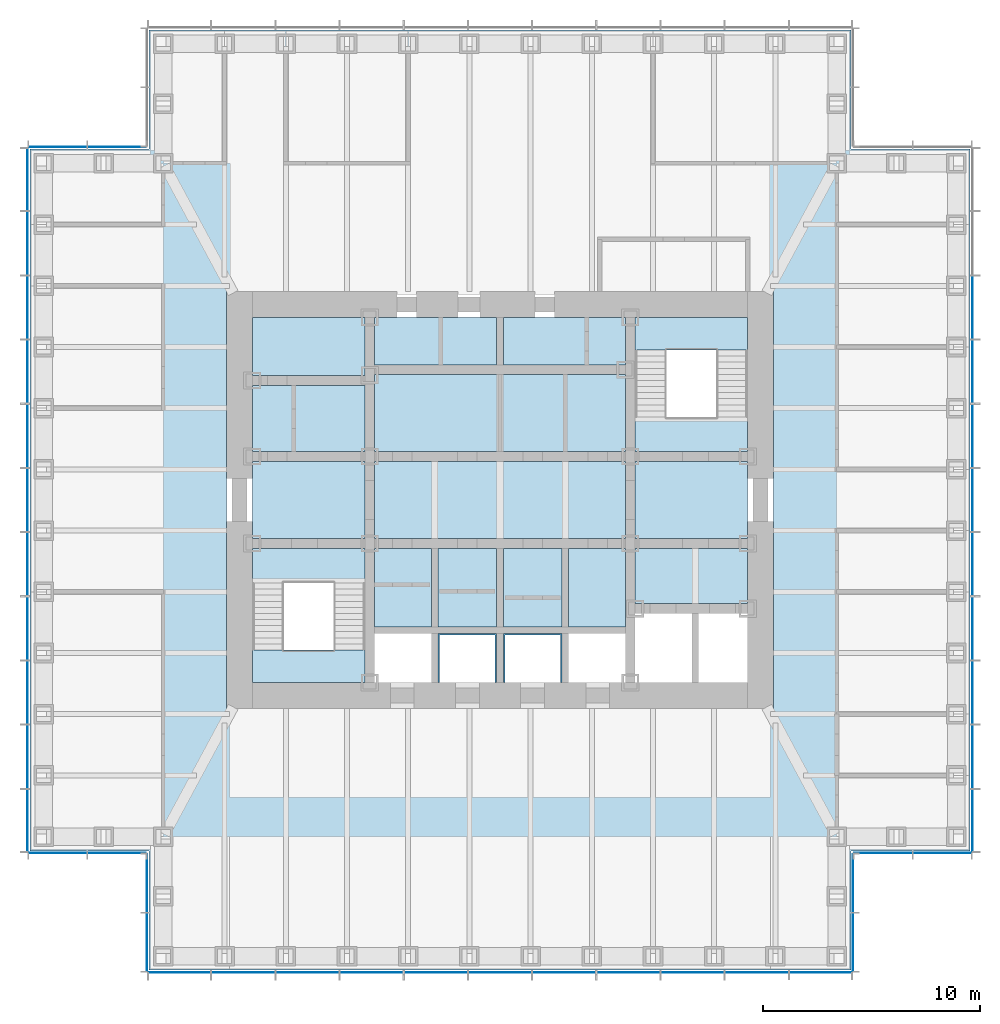
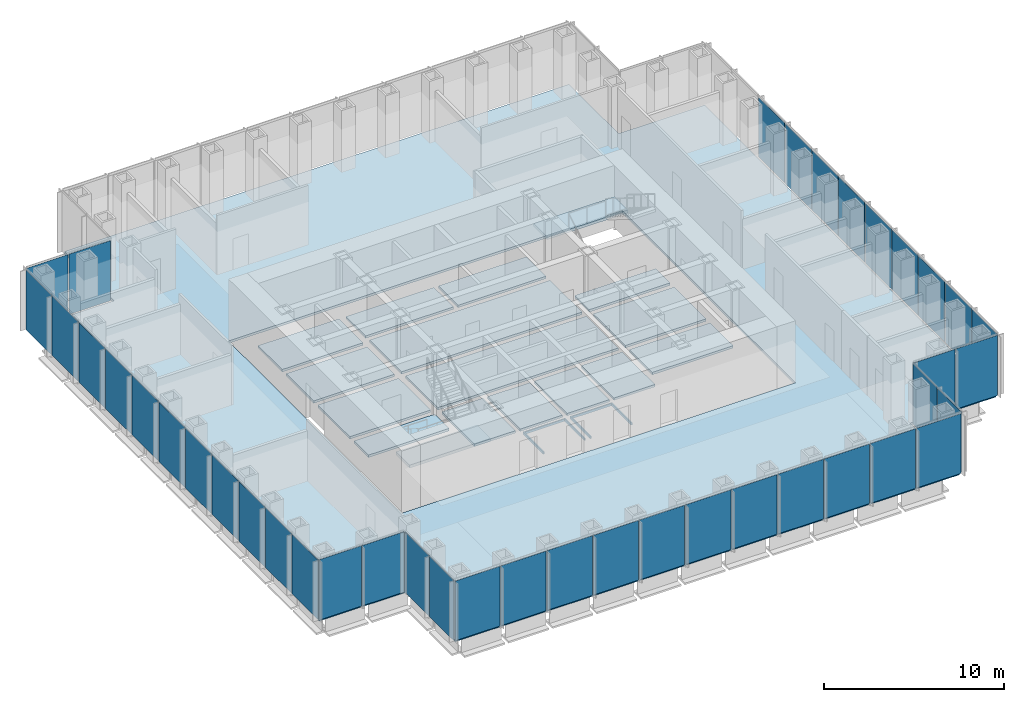
# One storey, part 7 of 16: 41 plates, 20 slabs, 10 elements without a shape of their own.
"""IFC4 building model written with IfcOpenShell, lengths in metres."""

import ifcopenshell
import ifcopenshell.guid

model = None  # the IFC model being written
_history = None  # IfcOwnerHistory: only IFC2X3 demands one
_inside = {}  # id of a spatial element -> (the spatial element, [elements in it])
_under = {}  # id of a project, library or spatial element -> (it, [spatial elements below it])
_declared = {}  # id of a project -> (the project, [libraries it declares])
_typed = {}  # id of a type object -> (the type object, [elements of that type])
_made_of = {}  # id of a material, layer set ... -> (it, [elements and type objects made of it])


def new_model(schema):
    """Start an empty IFC model of exactly this schema.

    Asked for "IFC4X3", IfcOpenShell would pick the latest addendum, in which some entities
    have other attributes; the version numbers below select the first issue.
    IFC2X3 requires an IfcOwnerHistory on every rooted entity: one is made here for all.
    """
    global model, _history
    if schema == "IFC4X3":
        model = ifcopenshell.file(schema_version=(4, 3, 0, 0))
    else:
        model = ifcopenshell.file(schema=schema)
    _inside.clear()
    _under.clear()
    _declared.clear()
    _typed.clear()
    _made_of.clear()
    _history = None
    if model.schema == "IFC2X3":
        org = make("IfcOrganization", Name="unknown")
        user = make(
            "IfcPersonAndOrganization",
            ThePerson=make("IfcPerson", FamilyName="unknown"),
            TheOrganization=org,
        )
        app = make(
            "IfcApplication",
            ApplicationDeveloper=org,
            Version="unknown",
            ApplicationFullName="unknown",
            ApplicationIdentifier="unknown",
        )
        _history = make(
            "IfcOwnerHistory",
            OwningUser=user,
            OwningApplication=app,
            ChangeAction="ADDED",
            CreationDate=0,
        )
    return model


def make(cls, **values):
    """One entity of the class cls with the attributes given. An attribute that is None is left unset."""
    return model.create_entity(
        cls, **{name: value for name, value in values.items() if value is not None}
    )


def rooted(cls, **values):
    """An entity with a GlobalId (a new one), such as an element, a storey or a relation."""
    return make(cls, GlobalId=ifcopenshell.guid.new(), OwnerHistory=_history, **values)


def si_unit(unit_type, name, prefix=None):
    """IfcSIUnit, for example si_unit("LENGTHUNIT", "METRE", prefix="MILLI")."""
    return make("IfcSIUnit", UnitType=unit_type, Prefix=prefix, Name=name)


def assignment(units):
    """IfcUnitAssignment: the units of a project."""
    return None if units is None else make("IfcUnitAssignment", Units=units)


def point(xyz):
    """IfcCartesianPoint."""
    return None if xyz is None else make("IfcCartesianPoint", Coordinates=xyz)


def direction(xyz):
    """IfcDirection."""
    return None if xyz is None else make("IfcDirection", DirectionRatios=xyz)


def frame(location, z_axis=None, x_axis=None):
    """IfcAxis2Placement3D, a coordinate frame: its origin and axes. An axis left out is left unset."""
    return make(
        "IfcAxis2Placement3D",
        Location=point(location),
        Axis=direction(z_axis),
        RefDirection=direction(x_axis),
    )


def frame_2d(location, x_axis=None):
    """IfcAxis2Placement2D, a coordinate frame in the plane: its origin and x axis."""
    return make(
        "IfcAxis2Placement2D", Location=point(location), RefDirection=direction(x_axis)
    )


def origin():
    """The frame at (0, 0, 0) with its axes left unset."""
    return frame((0.0, 0.0, 0.0))


def origin_2d():
    """The frame at (0, 0) in the plane with its x axis left unset."""
    return frame_2d((0.0, 0.0))


def place(relative_to, where):
    """IfcLocalPlacement: puts the frame where relative to a parent placement (None: the world)."""
    return make(
        "IfcLocalPlacement", PlacementRelTo=relative_to, RelativePlacement=where
    )


def context(
    kind, dimensions, precision=None, world=None, true_north=None, identifier=None
):
    """IfcGeometricRepresentationContext, for example the 3D "Model" context."""
    return make(
        "IfcGeometricRepresentationContext",
        ContextIdentifier=identifier,
        ContextType=kind,
        CoordinateSpaceDimension=dimensions,
        Precision=precision,
        WorldCoordinateSystem=world,
        TrueNorth=true_north,
    )


def subcontext(parent, identifier, kind, view, scale=None):
    """IfcGeometricRepresentationSubContext, for example "Body" below "Model"."""
    return make(
        "IfcGeometricRepresentationSubContext",
        ContextIdentifier=identifier,
        ContextType=kind,
        ParentContext=parent,
        TargetScale=scale,
        TargetView=view,
    )


def project(units=None, contexts=None):
    """IfcProject with its units and contexts."""
    return rooted(
        "IfcProject",
        Name="project",
        RepresentationContexts=contexts,
        UnitsInContext=assignment(units),
    )


def spatial(cls, under=None, at=None, **own):
    """A site, building, storey or space (cls), placed at a placement, below another one or the project."""
    s = rooted(cls, ObjectPlacement=at, **own)
    if under is not None:
        _under.setdefault(under.id(), (under, []))[1].append(s)
    return s


def polyline(points):
    """IfcPolyline through the points."""
    return make("IfcPolyline", Points=[point(p) for p in points])


def profile(cls, at=None, kind="AREA", **sizes):
    """A parametric profile (cls). Its sizes go by their IFC names, for example OverallWidth=200.0."""
    return make(cls, ProfileType=kind, Position=at, **sizes)


def rectangle(**sizes):
    """IfcRectangleProfileDef."""
    return profile("IfcRectangleProfileDef", **sizes)


def outline(outer, holes=None, kind="AREA"):
    """IfcArbitraryClosedProfileDef: a profile drawn as a closed curve; with holes, ...WithVoids."""
    if holes is None:
        return make("IfcArbitraryClosedProfileDef", ProfileType=kind, OuterCurve=outer)
    return make(
        "IfcArbitraryProfileDefWithVoids",
        ProfileType=kind,
        OuterCurve=outer,
        InnerCurves=holes,
    )


def extrude(swept, where, along, depth):
    """IfcExtrudedAreaSolid: the profile swept, set in the frame where, extruded along a direction by depth."""
    return make(
        "IfcExtrudedAreaSolid",
        SweptArea=swept,
        Position=where,
        ExtrudedDirection=direction(along),
        Depth=depth,
    )


def shape(context_of_items, identifier, shape_type, items):
    """IfcShapeRepresentation: the items that make up one representation, for example the "Body"."""
    return make(
        "IfcShapeRepresentation",
        ContextOfItems=context_of_items,
        RepresentationIdentifier=identifier,
        RepresentationType=shape_type,
        Items=items,
    )


def material(Name=None, Category=None):
    """IfcMaterial."""
    return make("IfcMaterial", Name=Name, Category=Category)


def layer(
    of_material, thickness, ventilated=None, Name=None, Category=None, Priority=None
):
    """IfcMaterialLayer: one layer of a wall or slab, of a material (None: an air gap)."""
    return make(
        "IfcMaterialLayer",
        Material=of_material,
        LayerThickness=thickness,
        IsVentilated=ventilated,
        Name=Name,
        Category=Category,
        Priority=Priority,
    )


def layer_set(layers, Name=None):
    """IfcMaterialLayerSet."""
    return make("IfcMaterialLayerSet", MaterialLayers=layers, LayerSetName=Name)


def made_of(thing, what):
    """Note that an element or type object is made of a material, layer set ...; save() writes the relation."""
    if what is not None:
        _made_of.setdefault(what.id(), (what, []))[1].append(thing)
    return thing


def type_object(cls, material=None, **own):
    """A type object (cls), such as IfcWallType, which elements share."""
    return made_of(rooted(cls, **own), material)


def element(
    cls,
    number,
    at=None,
    inside=None,
    cuts=None,
    type_object=None,
    material=None,
    context=None,
    identifier="Body",
    shape_type=None,
    held_by="IfcProductDefinitionShape",
    body=None,
    shapes=None,
    **own,
):
    """One element of the class cls, such as IfcWall. Its Tag is "e" and its number.

    at: its placement. inside: the storey or other place that contains it. cuts: it is an
    opening in that element (IfcRelVoidsElement). A single representation is given by context,
    identifier, shape_type and body (its items); several are given by shapes. held_by: the class
    of the entity that holds the representations. save() writes the other relations.
    """
    e = rooted(cls, Tag="e%d" % number, ObjectPlacement=at, **own)
    if body is not None:
        shapes = [shape(context, identifier, shape_type, body)]
    if shapes is not None:
        e.Representation = make(held_by, Representations=shapes)
    if inside is not None:
        _inside.setdefault(inside.id(), (inside, []))[1].append(e)
    if cuts is not None:
        rooted(
            "IfcRelVoidsElement", RelatingBuildingElement=cuts, RelatedOpeningElement=e
        )
    if type_object is not None:
        _typed.setdefault(type_object.id(), (type_object, []))[1].append(e)
    return made_of(e, material)


def aggregate(whole, parts):
    """IfcRelAggregates: a whole, such as a stair, and the parts it consists of."""
    return rooted("IfcRelAggregates", RelatingObject=whole, RelatedObjects=parts)


def save(model, path):
    """Write the relations noted so far, then the file.

    IfcRelAggregates (storeys below a building ...), IfcRelContainedInSpatialStructure (elements
    in a storey), IfcRelDefinesByType, IfcRelAssociatesMaterial and IfcRelDeclares: one each for
    every whole, place, type object, material and project.
    """
    for whole, parts in _under.values():
        aggregate(whole, parts)
    for where, things in _inside.values():
        rooted(
            "IfcRelContainedInSpatialStructure",
            RelatedElements=things,
            RelatingStructure=where,
        )
    for kind, things in _typed.values():
        rooted("IfcRelDefinesByType", RelatedObjects=things, RelatingType=kind)
    for what, things in _made_of.values():
        rooted("IfcRelAssociatesMaterial", RelatedObjects=things, RelatingMaterial=what)
    for by, libraries in _declared.values():
        rooted("IfcRelDeclares", RelatingContext=by, RelatedDefinitions=libraries)
    model.write(path)


model = new_model("IFC4")

# Units and contexts
model_context = context("Model", 3, precision=1e-05, world=origin(), true_north=direction((0.0, 1.0)))
body_context = subcontext(model_context, "Body", "Model", "MODEL_VIEW")
ifc_project = project(units=[si_unit("LENGTHUNIT", "METRE"), si_unit("AREAUNIT", "SQUARE_METRE"), si_unit("VOLUMEUNIT", "CUBIC_METRE"), si_unit("PLANEANGLEUNIT", "RADIAN"), si_unit("MASSUNIT", "GRAM", prefix="KILO")], contexts=[model_context])

# Site, building, storey
site_placement = place(None, origin())
site = spatial("IfcSite", under=ifc_project, at=site_placement, CompositionType="ELEMENT")
building_placement = place(site_placement, origin())
building = spatial("IfcBuilding", under=site, at=building_placement, Name="Daluyong Arena Tower", CompositionType="ELEMENT")
storey_placement = place(building_placement, frame((0.0, 0.0, 206.5)))
storey = spatial("IfcBuildingStorey", under=building, at=storey_placement, Name="L46", CompositionType="ELEMENT", Elevation=206.5)

# Curtain wall, plates
ifc_material_1 = material(Name="Bronze anodised aluminium and glass", Category="aluminium")
curtain_wall_type_1 = type_object("IfcCurtainWallType", Name="Curtain wall CW3", PredefinedType="USERDEFINED", material=ifc_material_1)
curtain_wall_1_placement = place(storey_placement, origin())
curtain_wall_1 = element("IfcCurtainWall", 1, at=curtain_wall_1_placement, inside=storey, type_object=curtain_wall_type_1, Name="curtain wall L46 S", ObjectType="UNITISED CURTAIN WALL", PredefinedType="USERDEFINED")
ifc_material_2 = material(Name="Tinted double glazed unit", Category="glass")
ifc_layer_1 = layer(ifc_material_2, 0.030029296875)
ifc_layer_set_1 = layer_set([ifc_layer_1], Name="Tinted double glazed unit")
plate_type_1 = type_object("IfcPlateType", Name="CW3 panel 30", PredefinedType="CURTAIN_PANEL", material=ifc_layer_set_1)
plate_1_placement = place(storey_placement, frame((41.244873046875, 58.25, 0.0), z_axis=(0.0, 0.0, 1.0), x_axis=(1.0, 0.0, 0.0)))
plate_1 = element("IfcPlate", 2, at=plate_1_placement, type_object=plate_type_1, Name="curtain wall L46 S panel 1", PredefinedType="CURTAIN_PANEL", context=body_context, shape_type="SweptSolid", body=[
    extrude(rectangle(XDim=2.849609375, YDim=0.030029296875, at=origin_2d()), origin(), (0.0, 0.0, 1.0), 4.0400390625),
])
plate_2_placement = place(storey_placement, frame((44.181884765625, 58.25, 0.0), z_axis=(0.0, 0.0, 1.0), x_axis=(1.0, 0.0, 0.0)))
plate_2 = element("IfcPlate", 3, at=plate_2_placement, type_object=plate_type_1, Name="curtain wall L46 S panel 2", PredefinedType="CURTAIN_PANEL", context=body_context, shape_type="SweptSolid", body=[
    extrude(rectangle(XDim=2.884521484375, YDim=0.030029296875, at=origin_2d()), origin(), (0.0, 0.0, 1.0), 4.0400390625),
])
plate_3_placement = place(storey_placement, frame((47.136474609375, 58.25, 0.0), z_axis=(0.0, 0.0, 1.0), x_axis=(1.0, 0.0, 0.0)))
plate_3 = element("IfcPlate", 4, at=plate_3_placement, type_object=plate_type_1, Name="curtain wall L46 S panel 3", PredefinedType="CURTAIN_PANEL", context=body_context, shape_type="SweptSolid", body=[
    extrude(rectangle(XDim=2.884521484375, YDim=0.030029296875, at=origin_2d()), origin(), (0.0, 0.0, 1.0), 4.0400390625),
])
plate_4_placement = place(storey_placement, frame((50.0908203125, 58.25, 0.0), z_axis=(0.0, 0.0, 1.0), x_axis=(1.0, 0.0, 0.0)))
plate_4 = element("IfcPlate", 5, at=plate_4_placement, type_object=plate_type_1, Name="curtain wall L46 S panel 4", PredefinedType="CURTAIN_PANEL", context=body_context, shape_type="SweptSolid", body=[
    extrude(rectangle(XDim=2.884521484375, YDim=0.030029296875, at=origin_2d()), origin(), (0.0, 0.0, 1.0), 4.0400390625),
])
plate_5_placement = place(storey_placement, frame((53.04541015625, 58.25, 0.0), z_axis=(0.0, 0.0, 1.0), x_axis=(1.0, 0.0, 0.0)))
plate_5 = element("IfcPlate", 6, at=plate_5_placement, type_object=plate_type_1, Name="curtain wall L46 S panel 5", PredefinedType="CURTAIN_PANEL", context=body_context, shape_type="SweptSolid", body=[
    extrude(rectangle(XDim=2.884521484375, YDim=0.030029296875, at=origin_2d()), origin(), (0.0, 0.0, 1.0), 4.0400390625),
])
plate_6_placement = place(storey_placement, frame((56.0, 58.25, 0.0), z_axis=(0.0, 0.0, 1.0), x_axis=(1.0, 0.0, 0.0)))
plate_6 = element("IfcPlate", 7, at=plate_6_placement, type_object=plate_type_1, Name="curtain wall L46 S panel 6", PredefinedType="CURTAIN_PANEL", context=body_context, shape_type="SweptSolid", body=[
    extrude(rectangle(XDim=2.884521484375, YDim=0.030029296875, at=origin_2d()), origin(), (0.0, 0.0, 1.0), 4.0400390625),
])
plate_7_placement = place(storey_placement, frame((58.95458984375, 58.25, 0.0), z_axis=(0.0, 0.0, 1.0), x_axis=(1.0, 0.0, 0.0)))
plate_7 = element("IfcPlate", 8, at=plate_7_placement, type_object=plate_type_1, Name="curtain wall L46 S panel 7", PredefinedType="CURTAIN_PANEL", context=body_context, shape_type="SweptSolid", body=[
    extrude(rectangle(XDim=2.884521484375, YDim=0.030029296875, at=origin_2d()), origin(), (0.0, 0.0, 1.0), 4.0400390625),
])
plate_8_placement = place(storey_placement, frame((61.9091796875, 58.25, 0.0), z_axis=(0.0, 0.0, 1.0), x_axis=(1.0, 0.0, 0.0)))
plate_8 = element("IfcPlate", 9, at=plate_8_placement, type_object=plate_type_1, Name="curtain wall L46 S panel 8", PredefinedType="CURTAIN_PANEL", context=body_context, shape_type="SweptSolid", body=[
    extrude(rectangle(XDim=2.884521484375, YDim=0.030029296875, at=origin_2d()), origin(), (0.0, 0.0, 1.0), 4.0400390625),
])
plate_9_placement = place(storey_placement, frame((64.863525390625, 58.25, 0.0), z_axis=(0.0, 0.0, 1.0), x_axis=(1.0, 0.0, 0.0)))
plate_9 = element("IfcPlate", 10, at=plate_9_placement, type_object=plate_type_1, Name="curtain wall L46 S panel 9", PredefinedType="CURTAIN_PANEL", context=body_context, shape_type="SweptSolid", body=[
    extrude(rectangle(XDim=2.884521484375, YDim=0.030029296875, at=origin_2d()), origin(), (0.0, 0.0, 1.0), 4.0400390625),
])
plate_10_placement = place(storey_placement, frame((67.818115234375, 58.25, 0.0), z_axis=(0.0, 0.0, 1.0), x_axis=(1.0, 0.0, 0.0)))
plate_10 = element("IfcPlate", 11, at=plate_10_placement, type_object=plate_type_1, Name="curtain wall L46 S panel 10", PredefinedType="CURTAIN_PANEL", context=body_context, shape_type="SweptSolid", body=[
    extrude(rectangle(XDim=2.884521484375, YDim=0.030029296875, at=origin_2d()), origin(), (0.0, 0.0, 1.0), 4.0400390625),
])
plate_11_placement = place(storey_placement, frame((70.755126953125, 58.25, 0.0), z_axis=(0.0, 0.0, 1.0), x_axis=(1.0, 0.0, 0.0)))
plate_11 = element("IfcPlate", 12, at=plate_11_placement, type_object=plate_type_1, Name="curtain wall L46 S panel 11", PredefinedType="CURTAIN_PANEL", context=body_context, shape_type="SweptSolid", body=[
    extrude(rectangle(XDim=2.849609375, YDim=0.030029296875, at=origin_2d()), origin(), (0.0, 0.0, 1.0), 4.0400390625),
])
aggregate(curtain_wall_1, [plate_1, plate_2, plate_3, plate_4, plate_5, plate_6, plate_7, plate_8, plate_9, plate_10, plate_11])

curtain_wall_2_placement = place(storey_placement, origin())
curtain_wall_2 = element("IfcCurtainWall", 13, at=curtain_wall_2_placement, inside=storey, type_object=curtain_wall_type_1, Name="curtain wall L46 E", ObjectType="UNITISED CURTAIN WALL", PredefinedType="USERDEFINED")
plate_12_placement = place(storey_placement, frame((77.75, 65.244873046875, 0.0), z_axis=(0.0, 0.0, 1.0), x_axis=(0.0, 1.0, 0.0)))
plate_12 = element("IfcPlate", 14, at=plate_12_placement, type_object=plate_type_1, Name="curtain wall L46 E panel 1", PredefinedType="CURTAIN_PANEL", context=body_context, shape_type="SweptSolid", body=[
    extrude(rectangle(XDim=2.849609375, YDim=0.030029296875, at=origin_2d()), origin(), (0.0, 0.0, 1.0), 4.0400390625),
])
plate_13_placement = place(storey_placement, frame((77.75, 68.181884765625, 0.0), z_axis=(0.0, 0.0, 1.0), x_axis=(0.0, 1.0, 0.0)))
plate_13 = element("IfcPlate", 15, at=plate_13_placement, type_object=plate_type_1, Name="curtain wall L46 E panel 2", PredefinedType="CURTAIN_PANEL", context=body_context, shape_type="SweptSolid", body=[
    extrude(rectangle(XDim=2.884521484375, YDim=0.030029296875, at=origin_2d()), origin(), (0.0, 0.0, 1.0), 4.0400390625),
])
plate_14_placement = place(storey_placement, frame((77.75, 71.136474609375, 0.0), z_axis=(0.0, 0.0, 1.0), x_axis=(0.0, 1.0, 0.0)))
plate_14 = element("IfcPlate", 16, at=plate_14_placement, type_object=plate_type_1, Name="curtain wall L46 E panel 3", PredefinedType="CURTAIN_PANEL", context=body_context, shape_type="SweptSolid", body=[
    extrude(rectangle(XDim=2.884521484375, YDim=0.030029296875, at=origin_2d()), origin(), (0.0, 0.0, 1.0), 4.0400390625),
])
plate_15_placement = place(storey_placement, frame((77.75, 74.0908203125, 0.0), z_axis=(0.0, 0.0, 1.0), x_axis=(0.0, 1.0, 0.0)))
plate_15 = element("IfcPlate", 17, at=plate_15_placement, type_object=plate_type_1, Name="curtain wall L46 E panel 4", PredefinedType="CURTAIN_PANEL", context=body_context, shape_type="SweptSolid", body=[
    extrude(rectangle(XDim=2.884521484375, YDim=0.030029296875, at=origin_2d()), origin(), (0.0, 0.0, 1.0), 4.0400390625),
])
plate_16_placement = place(storey_placement, frame((77.75, 77.04541015625, 0.0), z_axis=(0.0, 0.0, 1.0), x_axis=(0.0, 1.0, 0.0)))
plate_16 = element("IfcPlate", 18, at=plate_16_placement, type_object=plate_type_1, Name="curtain wall L46 E panel 5", PredefinedType="CURTAIN_PANEL", context=body_context, shape_type="SweptSolid", body=[
    extrude(rectangle(XDim=2.884521484375, YDim=0.030029296875, at=origin_2d()), origin(), (0.0, 0.0, 1.0), 4.0400390625),
])
plate_17_placement = place(storey_placement, frame((77.75, 80.0, 0.0), z_axis=(0.0, 0.0, 1.0), x_axis=(0.0, 1.0, 0.0)))
plate_17 = element("IfcPlate", 19, at=plate_17_placement, type_object=plate_type_1, Name="curtain wall L46 E panel 6", PredefinedType="CURTAIN_PANEL", context=body_context, shape_type="SweptSolid", body=[
    extrude(rectangle(XDim=2.884521484375, YDim=0.030029296875, at=origin_2d()), origin(), (0.0, 0.0, 1.0), 4.0400390625),
])
plate_18_placement = place(storey_placement, frame((77.75, 82.95458984375, 0.0), z_axis=(0.0, 0.0, 1.0), x_axis=(0.0, 1.0, 0.0)))
plate_18 = element("IfcPlate", 20, at=plate_18_placement, type_object=plate_type_1, Name="curtain wall L46 E panel 7", PredefinedType="CURTAIN_PANEL", context=body_context, shape_type="SweptSolid", body=[
    extrude(rectangle(XDim=2.884521484375, YDim=0.030029296875, at=origin_2d()), origin(), (0.0, 0.0, 1.0), 4.0400390625),
])
plate_19_placement = place(storey_placement, frame((77.75, 85.9091796875, 0.0), z_axis=(0.0, 0.0, 1.0), x_axis=(0.0, 1.0, 0.0)))
plate_19 = element("IfcPlate", 21, at=plate_19_placement, type_object=plate_type_1, Name="curtain wall L46 E panel 8", PredefinedType="CURTAIN_PANEL", context=body_context, shape_type="SweptSolid", body=[
    extrude(rectangle(XDim=2.884521484375, YDim=0.030029296875, at=origin_2d()), origin(), (0.0, 0.0, 1.0), 4.0400390625),
])
plate_20_placement = place(storey_placement, frame((77.75, 88.863525390625, 0.0), z_axis=(0.0, 0.0, 1.0), x_axis=(0.0, 1.0, 0.0)))
plate_20 = element("IfcPlate", 22, at=plate_20_placement, type_object=plate_type_1, Name="curtain wall L46 E panel 9", PredefinedType="CURTAIN_PANEL", context=body_context, shape_type="SweptSolid", body=[
    extrude(rectangle(XDim=2.884521484375, YDim=0.030029296875, at=origin_2d()), origin(), (0.0, 0.0, 1.0), 4.0400390625),
])
aggregate(curtain_wall_2, [plate_12, plate_13, plate_14, plate_15, plate_16, plate_17, plate_18, plate_19, plate_20])

curtain_wall_3_placement = place(storey_placement, origin())
curtain_wall_3 = element("IfcCurtainWall", 23, at=curtain_wall_3_placement, inside=storey, type_object=curtain_wall_type_1, Name="curtain wall L46 W", ObjectType="UNITISED CURTAIN WALL", PredefinedType="USERDEFINED")
plate_21_placement = place(storey_placement, frame((34.25, 94.755126953125, 0.0), z_axis=(0.0, 0.0, 1.0), x_axis=(0.0, -1.0, 0.0)))
plate_21 = element("IfcPlate", 24, at=plate_21_placement, type_object=plate_type_1, Name="curtain wall L46 W panel 1", PredefinedType="CURTAIN_PANEL", context=body_context, shape_type="SweptSolid", body=[
    extrude(rectangle(XDim=2.849609375, YDim=0.030029296875, at=origin_2d()), origin(), (0.0, 0.0, 1.0), 4.0400390625),
])
plate_22_placement = place(storey_placement, frame((34.25, 91.818115234375, 0.0), z_axis=(0.0, 0.0, 1.0), x_axis=(0.0, -1.0, 0.0)))
plate_22 = element("IfcPlate", 25, at=plate_22_placement, type_object=plate_type_1, Name="curtain wall L46 W panel 2", PredefinedType="CURTAIN_PANEL", context=body_context, shape_type="SweptSolid", body=[
    extrude(rectangle(XDim=2.884521484375, YDim=0.030029296875, at=origin_2d()), origin(), (0.0, 0.0, 1.0), 4.0400390625),
])
plate_23_placement = place(storey_placement, frame((34.25, 88.863525390625, 0.0), z_axis=(0.0, 0.0, 1.0), x_axis=(0.0, -1.0, 0.0)))
plate_23 = element("IfcPlate", 26, at=plate_23_placement, type_object=plate_type_1, Name="curtain wall L46 W panel 3", PredefinedType="CURTAIN_PANEL", context=body_context, shape_type="SweptSolid", body=[
    extrude(rectangle(XDim=2.884521484375, YDim=0.030029296875, at=origin_2d()), origin(), (0.0, 0.0, 1.0), 4.0400390625),
])
plate_24_placement = place(storey_placement, frame((34.25, 85.9091796875, 0.0), z_axis=(0.0, 0.0, 1.0), x_axis=(0.0, -1.0, 0.0)))
plate_24 = element("IfcPlate", 27, at=plate_24_placement, type_object=plate_type_1, Name="curtain wall L46 W panel 4", PredefinedType="CURTAIN_PANEL", context=body_context, shape_type="SweptSolid", body=[
    extrude(rectangle(XDim=2.884521484375, YDim=0.030029296875, at=origin_2d()), origin(), (0.0, 0.0, 1.0), 4.0400390625),
])
plate_25_placement = place(storey_placement, frame((34.25, 82.95458984375, 0.0), z_axis=(0.0, 0.0, 1.0), x_axis=(0.0, -1.0, 0.0)))
plate_25 = element("IfcPlate", 28, at=plate_25_placement, type_object=plate_type_1, Name="curtain wall L46 W panel 5", PredefinedType="CURTAIN_PANEL", context=body_context, shape_type="SweptSolid", body=[
    extrude(rectangle(XDim=2.884521484375, YDim=0.030029296875, at=origin_2d()), origin(), (0.0, 0.0, 1.0), 4.0400390625),
])
plate_26_placement = place(storey_placement, frame((34.25, 80.0, 0.0), z_axis=(0.0, 0.0, 1.0), x_axis=(0.0, -1.0, 0.0)))
plate_26 = element("IfcPlate", 29, at=plate_26_placement, type_object=plate_type_1, Name="curtain wall L46 W panel 6", PredefinedType="CURTAIN_PANEL", context=body_context, shape_type="SweptSolid", body=[
    extrude(rectangle(XDim=2.884521484375, YDim=0.030029296875, at=origin_2d()), origin(), (0.0, 0.0, 1.0), 4.0400390625),
])
plate_27_placement = place(storey_placement, frame((34.25, 77.04541015625, 0.0), z_axis=(0.0, 0.0, 1.0), x_axis=(0.0, -1.0, 0.0)))
plate_27 = element("IfcPlate", 30, at=plate_27_placement, type_object=plate_type_1, Name="curtain wall L46 W panel 7", PredefinedType="CURTAIN_PANEL", context=body_context, shape_type="SweptSolid", body=[
    extrude(rectangle(XDim=2.884521484375, YDim=0.030029296875, at=origin_2d()), origin(), (0.0, 0.0, 1.0), 4.0400390625),
])
plate_28_placement = place(storey_placement, frame((34.25, 74.0908203125, 0.0), z_axis=(0.0, 0.0, 1.0), x_axis=(0.0, -1.0, 0.0)))
plate_28 = element("IfcPlate", 31, at=plate_28_placement, type_object=plate_type_1, Name="curtain wall L46 W panel 8", PredefinedType="CURTAIN_PANEL", context=body_context, shape_type="SweptSolid", body=[
    extrude(rectangle(XDim=2.884521484375, YDim=0.030029296875, at=origin_2d()), origin(), (0.0, 0.0, 1.0), 4.0400390625),
])
plate_29_placement = place(storey_placement, frame((34.25, 71.136474609375, 0.0), z_axis=(0.0, 0.0, 1.0), x_axis=(0.0, -1.0, 0.0)))
plate_29 = element("IfcPlate", 32, at=plate_29_placement, type_object=plate_type_1, Name="curtain wall L46 W panel 9", PredefinedType="CURTAIN_PANEL", context=body_context, shape_type="SweptSolid", body=[
    extrude(rectangle(XDim=2.884521484375, YDim=0.030029296875, at=origin_2d()), origin(), (0.0, 0.0, 1.0), 4.0400390625),
])
plate_30_placement = place(storey_placement, frame((34.25, 68.181884765625, 0.0), z_axis=(0.0, 0.0, 1.0), x_axis=(0.0, -1.0, 0.0)))
plate_30 = element("IfcPlate", 33, at=plate_30_placement, type_object=plate_type_1, Name="curtain wall L46 W panel 10", PredefinedType="CURTAIN_PANEL", context=body_context, shape_type="SweptSolid", body=[
    extrude(rectangle(XDim=2.884521484375, YDim=0.030029296875, at=origin_2d()), origin(), (0.0, 0.0, 1.0), 4.0400390625),
])
plate_31_placement = place(storey_placement, frame((34.25, 65.244873046875, 0.0), z_axis=(0.0, 0.0, 1.0), x_axis=(0.0, -1.0, 0.0)))
plate_31 = element("IfcPlate", 34, at=plate_31_placement, type_object=plate_type_1, Name="curtain wall L46 W panel 11", PredefinedType="CURTAIN_PANEL", context=body_context, shape_type="SweptSolid", body=[
    extrude(rectangle(XDim=2.849609375, YDim=0.030029296875, at=origin_2d()), origin(), (0.0, 0.0, 1.0), 4.0400390625),
])
aggregate(curtain_wall_3, [plate_21, plate_22, plate_23, plate_24, plate_25, plate_26, plate_27, plate_28, plate_29, plate_30, plate_31])

ifc_material_3 = material(Name="Bronze anodised aluminium and glass", Category="aluminium")
curtain_wall_type_2 = type_object("IfcCurtainWallType", Name="Curtain wall CW7", PredefinedType="USERDEFINED", material=ifc_material_3)
curtain_wall_4_placement = place(storey_placement, origin())
curtain_wall_4 = element("IfcCurtainWall", 35, at=curtain_wall_4_placement, inside=storey, type_object=curtain_wall_type_2, Name="curtain wall L46 SE-E", ObjectType="UNITISED CURTAIN WALL", PredefinedType="USERDEFINED")
ifc_material_4 = material(Name="Tinted double glazed unit", Category="glass")
ifc_layer_2 = layer(ifc_material_4, 0.028076171875)
ifc_layer_set_2 = layer_set([ifc_layer_2], Name="Tinted double glazed unit")
plate_type_2 = type_object("IfcPlateType", Name="CW7 panel 28", PredefinedType="CURTAIN_PANEL", material=ifc_layer_set_2)
plate_32_placement = place(storey_placement, frame((72.25, 59.639892578125, 0.0), z_axis=(0.0, 0.0, 1.0), x_axis=(0.0, 1.0, 0.0)))
plate_32 = element("IfcPlate", 36, at=plate_32_placement, type_object=plate_type_2, Name="curtain wall L46 SE-E panel 1", PredefinedType="CURTAIN_PANEL", context=body_context, shape_type="SweptSolid", body=[
    extrude(rectangle(XDim=2.659912109375, YDim=0.028076171875, at=origin_2d()), origin(), (0.0, 0.0, 1.0), 4.080078125),
])
plate_33_placement = place(storey_placement, frame((72.25, 62.360107421875, 0.0), z_axis=(0.0, 0.0, 1.0), x_axis=(0.0, 1.0, 0.0)))
plate_33 = element("IfcPlate", 37, at=plate_33_placement, type_object=plate_type_2, Name="curtain wall L46 SE-E panel 2", PredefinedType="CURTAIN_PANEL", context=body_context, shape_type="SweptSolid", body=[
    extrude(rectangle(XDim=2.659912109375, YDim=0.028076171875, at=origin_2d()), origin(), (0.0, 0.0, 1.0), 4.080078125),
])
aggregate(curtain_wall_4, [plate_32, plate_33])

curtain_wall_5_placement = place(storey_placement, origin())
curtain_wall_5 = element("IfcCurtainWall", 38, at=curtain_wall_5_placement, inside=storey, type_object=curtain_wall_type_2, Name="curtain wall L46 SE-S", ObjectType="UNITISED CURTAIN WALL", PredefinedType="USERDEFINED")
plate_34_placement = place(storey_placement, frame((73.639892578125, 63.75, 0.0), z_axis=(0.0, 0.0, 1.0), x_axis=(1.0, 0.0, 0.0)))
plate_34 = element("IfcPlate", 39, at=plate_34_placement, type_object=plate_type_2, Name="curtain wall L46 SE-S panel 1", PredefinedType="CURTAIN_PANEL", context=body_context, shape_type="SweptSolid", body=[
    extrude(rectangle(XDim=2.659912109375, YDim=0.028076171875, at=origin_2d()), origin(), (0.0, 0.0, 1.0), 4.080078125),
])
plate_35_placement = place(storey_placement, frame((76.360107421875, 63.75, 0.0), z_axis=(0.0, 0.0, 1.0), x_axis=(1.0, 0.0, 0.0)))
plate_35 = element("IfcPlate", 40, at=plate_35_placement, type_object=plate_type_2, Name="curtain wall L46 SE-S panel 2", PredefinedType="CURTAIN_PANEL", context=body_context, shape_type="SweptSolid", body=[
    extrude(rectangle(XDim=2.659912109375, YDim=0.028076171875, at=origin_2d()), origin(), (0.0, 0.0, 1.0), 4.080078125),
])
aggregate(curtain_wall_5, [plate_34, plate_35])

curtain_wall_6_placement = place(storey_placement, origin())
curtain_wall_6 = element("IfcCurtainWall", 41, at=curtain_wall_6_placement, inside=storey, type_object=curtain_wall_type_2, Name="curtain wall L46 NW-N", ObjectType="UNITISED CURTAIN WALL", PredefinedType="USERDEFINED")
plate_36_placement = place(storey_placement, frame((38.360107421875, 96.25, 0.0), z_axis=(0.0, 0.0, 1.0), x_axis=(-1.0, 0.0, 0.0)))
plate_36 = element("IfcPlate", 42, at=plate_36_placement, type_object=plate_type_2, Name="curtain wall L46 NW-N panel 1", PredefinedType="CURTAIN_PANEL", context=body_context, shape_type="SweptSolid", body=[
    extrude(rectangle(XDim=2.659912109375, YDim=0.028076171875, at=origin_2d()), origin(), (0.0, 0.0, 1.0), 4.080078125),
])
plate_37_placement = place(storey_placement, frame((35.639892578125, 96.25, 0.0), z_axis=(0.0, 0.0, 1.0), x_axis=(-1.0, 0.0, 0.0)))
plate_37 = element("IfcPlate", 43, at=plate_37_placement, type_object=plate_type_2, Name="curtain wall L46 NW-N panel 2", PredefinedType="CURTAIN_PANEL", context=body_context, shape_type="SweptSolid", body=[
    extrude(rectangle(XDim=2.659912109375, YDim=0.028076171875, at=origin_2d()), origin(), (0.0, 0.0, 1.0), 4.080078125),
])
aggregate(curtain_wall_6, [plate_36, plate_37])

curtain_wall_7_placement = place(storey_placement, origin())
curtain_wall_7 = element("IfcCurtainWall", 44, at=curtain_wall_7_placement, inside=storey, type_object=curtain_wall_type_2, Name="curtain wall L46 SW-S", ObjectType="UNITISED CURTAIN WALL", PredefinedType="USERDEFINED")
plate_38_placement = place(storey_placement, frame((35.639892578125, 63.75, 0.0), z_axis=(0.0, 0.0, 1.0), x_axis=(1.0, 0.0, 0.0)))
plate_38 = element("IfcPlate", 45, at=plate_38_placement, type_object=plate_type_2, Name="curtain wall L46 SW-S panel 1", PredefinedType="CURTAIN_PANEL", context=body_context, shape_type="SweptSolid", body=[
    extrude(rectangle(XDim=2.659912109375, YDim=0.028076171875, at=origin_2d()), origin(), (0.0, 0.0, 1.0), 4.080078125),
])
plate_39_placement = place(storey_placement, frame((38.360107421875, 63.75, 0.0), z_axis=(0.0, 0.0, 1.0), x_axis=(1.0, 0.0, 0.0)))
plate_39 = element("IfcPlate", 46, at=plate_39_placement, type_object=plate_type_2, Name="curtain wall L46 SW-S panel 2", PredefinedType="CURTAIN_PANEL", context=body_context, shape_type="SweptSolid", body=[
    extrude(rectangle(XDim=2.659912109375, YDim=0.028076171875, at=origin_2d()), origin(), (0.0, 0.0, 1.0), 4.080078125),
])
aggregate(curtain_wall_7, [plate_38, plate_39])

curtain_wall_8_placement = place(storey_placement, origin())
curtain_wall_8 = element("IfcCurtainWall", 47, at=curtain_wall_8_placement, inside=storey, type_object=curtain_wall_type_2, Name="curtain wall L46 SW-W", ObjectType="UNITISED CURTAIN WALL", PredefinedType="USERDEFINED")
plate_40_placement = place(storey_placement, frame((39.75, 62.360107421875, 0.0), z_axis=(0.0, 0.0, 1.0), x_axis=(0.0, -1.0, 0.0)))
plate_40 = element("IfcPlate", 48, at=plate_40_placement, type_object=plate_type_2, Name="curtain wall L46 SW-W panel 1", PredefinedType="CURTAIN_PANEL", context=body_context, shape_type="SweptSolid", body=[
    extrude(rectangle(XDim=2.659912109375, YDim=0.028076171875, at=origin_2d()), origin(), (0.0, 0.0, 1.0), 4.080078125),
])
plate_41_placement = place(storey_placement, frame((39.75, 59.639892578125, 0.0), z_axis=(0.0, 0.0, 1.0), x_axis=(0.0, -1.0, 0.0)))
plate_41 = element("IfcPlate", 49, at=plate_41_placement, type_object=plate_type_2, Name="curtain wall L46 SW-W panel 2", PredefinedType="CURTAIN_PANEL", context=body_context, shape_type="SweptSolid", body=[
    extrude(rectangle(XDim=2.659912109375, YDim=0.028076171875, at=origin_2d()), origin(), (0.0, 0.0, 1.0), 4.080078125),
])
aggregate(curtain_wall_8, [plate_40, plate_41])

# Stair, slab
ifc_material_5 = material(Name="Concrete fc' 35 MPa", Category="concrete")
stair_type = type_object("IfcStairType", Name="Core exit stair", PredefinedType="HALF_TURN_STAIR", material=ifc_material_5)
stair_1_placement = place(storey_placement, origin())
stair_1 = element("IfcStair", 50, at=stair_1_placement, inside=storey, type_object=stair_type, Name="exit stair A L46", PredefinedType="HALF_TURN_STAIR")
ifc_material_6 = material(Name="Concrete fc' 35 MPa", Category="concrete")
ifc_layer_3 = layer(ifc_material_6, 0.199951171875)
ifc_layer_set_3 = layer_set([ifc_layer_3], Name="Concrete fc' 35 MPa")
slab_type_1 = type_object("IfcSlabType", Name="Stair landing 200", PredefinedType="LANDING", material=ifc_layer_set_3)
slab_1_placement = place(storey_placement, frame((0.0, 0.0, 1.89990234375)))
slab_1 = element("IfcSlab", 51, at=slab_1_placement, type_object=slab_type_1, Name="STA landing 1", PredefinedType="LANDING", context=body_context, shape_type="SweptSolid", body=[
    extrude(outline(polyline([(44.60009765625, 71.60009765625), (49.77490234375, 71.60009765625), (49.77490234375, 73.094970703125), (44.60009765625, 73.094970703125), (44.60009765625, 71.60009765625)])), origin(), (0.0, 0.0, 1.0), 0.2001953125),
])
aggregate(stair_1, [slab_1])

stair_2_placement = place(storey_placement, origin())
stair_2 = element("IfcStair", 52, at=stair_2_placement, inside=storey, type_object=stair_type, Name="exit stair B L46", PredefinedType="HALF_TURN_STAIR")
slab_2_placement = place(storey_placement, frame((0.0, 0.0, 1.89990234375)))
slab_2 = element("IfcSlab", 53, at=slab_2_placement, type_object=slab_type_1, Name="STB landing 1", PredefinedType="LANDING", context=body_context, shape_type="SweptSolid", body=[
    extrude(outline(polyline([(62.22509765625, 86.905029296875), (67.39990234375, 86.905029296875), (67.39990234375, 88.39990234375), (62.22509765625, 88.39990234375), (62.22509765625, 86.905029296875)])), origin(), (0.0, 0.0, 1.0), 0.2001953125),
])
aggregate(stair_2, [slab_2])

# Slabs
ifc_material_7 = material(Name="Concrete fc' 35 MPa", Category="concrete")
ifc_layer_4 = layer(ifc_material_7, 0.159912109375)
ifc_layer_set_4 = layer_set([ifc_layer_4], Name="Concrete fc' 35 MPa")
slab_type_2 = type_object("IfcSlabType", Name="Tower floor slab 160", PredefinedType="FLOOR", material=ifc_layer_set_4)
slab_3_placement = place(storey_placement, frame((0.0, 0.0, -0.159912109375)))
element("IfcSlab", 54, at=slab_3_placement, inside=storey, type_object=slab_type_2, Name="floor L46 part 1", PredefinedType="FLOOR", context=body_context, shape_type="SweptSolid", body=[
    extrude(outline(polyline([(49.77490234375, 77.77490234375), (44.60009765625, 77.77490234375), (44.60009765625, 76.175048828125), (49.77490234375, 76.175048828125), (49.77490234375, 77.77490234375)])), origin(), (0.0, 0.0, 1.0), 0.159912109375),
])
slab_4_placement = place(storey_placement, frame((0.0, 0.0, -0.159912109375)))
element("IfcSlab", 55, at=slab_4_placement, inside=storey, type_object=slab_type_2, Name="floor L46 part 2", PredefinedType="FLOOR", context=body_context, shape_type="SweptSolid", body=[
    extrude(outline(polyline([(49.77490234375, 78.22509765625), (49.77490234375, 81.77490234375), (44.60009765625, 81.77490234375), (44.60009765625, 78.22509765625), (49.77490234375, 78.22509765625)])), origin(), (0.0, 0.0, 1.0), 0.159912109375),
])
slab_5_placement = place(storey_placement, frame((0.0, 0.0, -0.159912109375)))
element("IfcSlab", 56, at=slab_5_placement, inside=storey, type_object=slab_type_2, Name="floor L46 part 3", PredefinedType="FLOOR", context=body_context, shape_type="SweptSolid", body=[
    extrude(outline(polyline([(44.60009765625, 85.27490234375), (44.60009765625, 82.22509765625), (49.77490234375, 82.22509765625), (49.77490234375, 85.27490234375), (44.60009765625, 85.27490234375)])), origin(), (0.0, 0.0, 1.0), 0.159912109375),
])
slab_6_placement = place(storey_placement, frame((0.0, 0.0, -0.159912109375)))
element("IfcSlab", 57, at=slab_6_placement, inside=storey, type_object=slab_type_2, Name="floor L46 part 4", PredefinedType="FLOOR", context=body_context, shape_type="SweptSolid", body=[
    extrude(outline(polyline([(44.60009765625, 88.39990234375), (44.60009765625, 85.72509765625), (49.77490234375, 85.72509765625), (49.77490234375, 88.39990234375), (44.60009765625, 88.39990234375)])), origin(), (0.0, 0.0, 1.0), 0.159912109375),
])
slab_7_placement = place(storey_placement, frame((0.0, 0.0, -0.159912109375)))
element("IfcSlab", 58, at=slab_7_placement, inside=storey, type_object=slab_type_2, Name="floor L46 part 5", PredefinedType="FLOOR", context=body_context, shape_type="SweptSolid", body=[
    extrude(outline(polyline([(52.85009765625, 74.14990234375), (52.85009765625, 77.77490234375), (50.22509765625, 77.77490234375), (50.22509765625, 74.14990234375), (52.85009765625, 74.14990234375)])), origin(), (0.0, 0.0, 1.0), 0.159912109375),
])
slab_8_placement = place(storey_placement, frame((0.0, 0.0, -0.159912109375)))
element("IfcSlab", 59, at=slab_8_placement, inside=storey, type_object=slab_type_2, Name="floor L46 part 6", PredefinedType="FLOOR", context=body_context, shape_type="SweptSolid", body=[
    extrude(outline(polyline([(50.22509765625, 88.39990234375), (50.22509765625, 86.22509765625), (55.85009765625, 86.22509765625), (55.85009765625, 88.39990234375), (50.22509765625, 88.39990234375)])), origin(), (0.0, 0.0, 1.0), 0.159912109375),
])
slab_9_placement = place(storey_placement, frame((0.0, 0.0, -0.159912109375)))
element("IfcSlab", 60, at=slab_9_placement, inside=storey, type_object=slab_type_2, Name="floor L46 part 7", PredefinedType="FLOOR", context=body_context, shape_type="SweptSolid", body=[
    extrude(outline(polyline([(53.22509765625, 71.60009765625), (53.22509765625, 73.77490234375), (55.77490234375, 73.77490234375), (55.77490234375, 71.60009765625), (55.85009765625, 71.60009765625), (55.85009765625, 73.85009765625), (53.14990234375, 73.85009765625), (53.14990234375, 71.60009765625), (53.22509765625, 71.60009765625)])), origin(), (0.0, 0.0, 1.0), 0.159912109375),
])
slab_10_placement = place(storey_placement, frame((0.0, 0.0, -0.159912109375)))
element("IfcSlab", 61, at=slab_10_placement, inside=storey, type_object=slab_type_2, Name="floor L46 part 8", PredefinedType="FLOOR", context=body_context, shape_type="SweptSolid", body=[
    extrude(outline(polyline([(53.14990234375, 74.14990234375), (55.85009765625, 74.14990234375), (55.85009765625, 77.77490234375), (53.14990234375, 77.77490234375), (53.14990234375, 74.14990234375)])), origin(), (0.0, 0.0, 1.0), 0.159912109375),
])
slab_11_placement = place(storey_placement, frame((0.0, 0.0, -0.159912109375)))
element("IfcSlab", 62, at=slab_11_placement, inside=storey, type_object=slab_type_2, Name="floor L46 part 9", PredefinedType="FLOOR", context=body_context, shape_type="SweptSolid", body=[
    extrude(outline(polyline([(39.85009765625, 63.85009765625), (39.85009765625, 58.35009765625), (72.14990234375, 58.35009765625), (72.14990234375, 63.85009765625), (77.64990234375, 63.85009765625), (77.64990234375, 96.14990234375), (72.14990234375, 96.14990234375), (72.14990234375, 101.64990234375), (39.85009765625, 101.64990234375), (39.85009765625, 96.14990234375), (34.35009765625, 96.14990234375), (34.35009765625, 63.85009765625), (39.85009765625, 63.85009765625)]), holes=[polyline([(68.60009765625, 89.60009765625), (68.60009765625, 70.39990234375), (43.39990234375, 70.39990234375), (43.39990234375, 89.60009765625), (68.60009765625, 89.60009765625)])]), origin(), (0.0, 0.0, 1.0), 0.159912109375),
])
slab_12_placement = place(storey_placement, frame((0.0, 0.0, -0.159912109375)))
element("IfcSlab", 63, at=slab_12_placement, inside=storey, type_object=slab_type_2, Name="floor L46 part 10", PredefinedType="FLOOR", context=body_context, shape_type="SweptSolid", body=[
    extrude(outline(polyline([(50.22509765625, 81.77490234375), (50.22509765625, 78.22509765625), (61.77490234375, 78.22509765625), (61.77490234375, 81.77490234375), (50.22509765625, 81.77490234375)])), origin(), (0.0, 0.0, 1.0), 0.159912109375),
])
slab_13_placement = place(storey_placement, frame((0.0, 0.0, -0.159912109375)))
element("IfcSlab", 64, at=slab_13_placement, inside=storey, type_object=slab_type_2, Name="floor L46 part 11", PredefinedType="FLOOR", context=body_context, shape_type="SweptSolid", body=[
    extrude(outline(polyline([(50.22509765625, 85.77490234375), (50.22509765625, 82.22509765625), (61.77490234375, 82.22509765625), (61.77490234375, 85.77490234375), (50.22509765625, 85.77490234375)])), origin(), (0.0, 0.0, 1.0), 0.159912109375),
])
slab_14_placement = place(storey_placement, frame((0.0, 0.0, -0.159912109375)))
element("IfcSlab", 65, at=slab_14_placement, inside=storey, type_object=slab_type_2, Name="floor L46 part 12", PredefinedType="FLOOR", context=body_context, shape_type="SweptSolid", body=[
    extrude(outline(polyline([(56.22509765625, 71.60009765625), (56.22509765625, 73.77490234375), (58.77490234375, 73.77490234375), (58.77490234375, 71.60009765625), (58.85009765625, 71.60009765625), (58.85009765625, 73.85009765625), (56.14990234375, 73.85009765625), (56.14990234375, 71.60009765625), (56.22509765625, 71.60009765625)])), origin(), (0.0, 0.0, 1.0), 0.159912109375),
])
slab_15_placement = place(storey_placement, frame((0.0, 0.0, -0.159912109375)))
element("IfcSlab", 66, at=slab_15_placement, inside=storey, type_object=slab_type_2, Name="floor L46 part 13", PredefinedType="FLOOR", context=body_context, shape_type="SweptSolid", body=[
    extrude(outline(polyline([(58.85009765625, 77.77490234375), (56.14990234375, 77.77490234375), (56.14990234375, 74.14990234375), (58.85009765625, 74.14990234375), (58.85009765625, 77.77490234375)])), origin(), (0.0, 0.0, 1.0), 0.159912109375),
])
slab_16_placement = place(storey_placement, frame((0.0, 0.0, -0.159912109375)))
element("IfcSlab", 67, at=slab_16_placement, inside=storey, type_object=slab_type_2, Name="floor L46 part 14", PredefinedType="FLOOR", context=body_context, shape_type="SweptSolid", body=[
    extrude(outline(polyline([(56.14990234375, 88.39990234375), (56.14990234375, 86.22509765625), (61.77490234375, 86.22509765625), (61.77490234375, 88.39990234375), (56.14990234375, 88.39990234375)])), origin(), (0.0, 0.0, 1.0), 0.159912109375),
])
slab_17_placement = place(storey_placement, frame((0.0, 0.0, -0.159912109375)))
element("IfcSlab", 68, at=slab_17_placement, inside=storey, type_object=slab_type_2, Name="floor L46 part 15", PredefinedType="FLOOR", context=body_context, shape_type="SweptSolid", body=[
    extrude(outline(polyline([(61.77490234375, 77.77490234375), (59.14990234375, 77.77490234375), (59.14990234375, 74.14990234375), (61.77490234375, 74.14990234375), (61.77490234375, 77.77490234375)])), origin(), (0.0, 0.0, 1.0), 0.159912109375),
])
slab_18_placement = place(storey_placement, frame((0.0, 0.0, -0.159912109375)))
element("IfcSlab", 69, at=slab_18_placement, inside=storey, type_object=slab_type_2, Name="floor L46 part 16", PredefinedType="FLOOR", context=body_context, shape_type="SweptSolid", body=[
    extrude(outline(polyline([(67.39990234375, 75.22509765625), (67.39990234375, 77.77490234375), (62.22509765625, 77.77490234375), (62.22509765625, 75.22509765625), (67.39990234375, 75.22509765625)])), origin(), (0.0, 0.0, 1.0), 0.159912109375),
])
slab_19_placement = place(storey_placement, frame((0.0, 0.0, -0.159912109375)))
element("IfcSlab", 70, at=slab_19_placement, inside=storey, type_object=slab_type_2, Name="floor L46 part 17", PredefinedType="FLOOR", context=body_context, shape_type="SweptSolid", body=[
    extrude(outline(polyline([(67.39990234375, 78.22509765625), (67.39990234375, 81.77490234375), (62.22509765625, 81.77490234375), (62.22509765625, 78.22509765625), (67.39990234375, 78.22509765625)])), origin(), (0.0, 0.0, 1.0), 0.159912109375),
])
slab_20_placement = place(storey_placement, frame((0.0, 0.0, -0.159912109375)))
element("IfcSlab", 71, at=slab_20_placement, inside=storey, type_object=slab_type_2, Name="floor L46 part 18", PredefinedType="FLOOR", context=body_context, shape_type="SweptSolid", body=[
    extrude(outline(polyline([(67.39990234375, 83.824951171875), (62.22509765625, 83.824951171875), (62.22509765625, 82.22509765625), (67.39990234375, 82.22509765625), (67.39990234375, 83.824951171875)])), origin(), (0.0, 0.0, 1.0), 0.159912109375),
])

save(model, "model.ifc")
